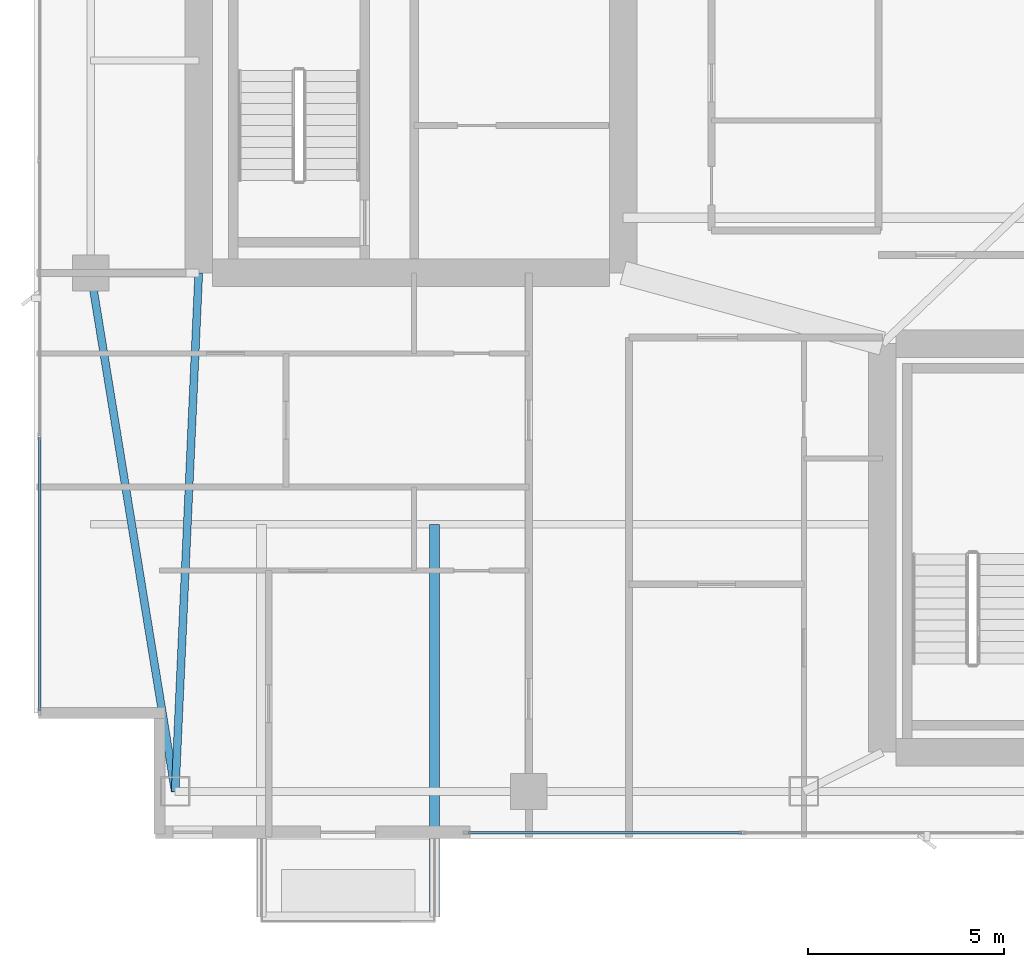
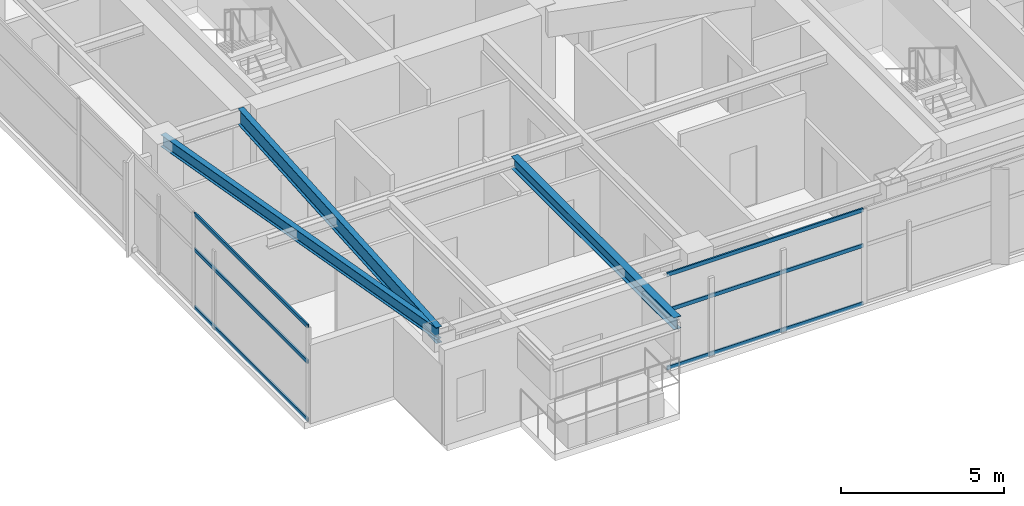
# One storey, part 3 of 27: 6 members, 3 beams, 2 elements without a shape of their own.
"""IFC4 building model written with IfcOpenShell, lengths in metres."""

from ifc_helpers import new_model, si_unit, direction, frame, origin, origin_2d, place, context, subcontext, project, spatial, hollow_rectangle, i_section, extrude, material, layer, layer_set, material_profile, profile_set, type_object, element, aggregate, save


model = new_model("IFC4")

# Units and contexts
model_context = context("Model", 3, precision=1e-05, world=origin(), true_north=direction((0.0, 1.0)))
body_context = subcontext(model_context, "Body", "Model", "MODEL_VIEW")
ifc_project = project(units=[si_unit("LENGTHUNIT", "METRE"), si_unit("AREAUNIT", "SQUARE_METRE"), si_unit("VOLUMEUNIT", "CUBIC_METRE"), si_unit("PLANEANGLEUNIT", "RADIAN"), si_unit("MASSUNIT", "GRAM", prefix="KILO")], contexts=[model_context])

# Site, building, storey
site_placement = place(None, origin())
site = spatial("IfcSite", under=ifc_project, at=site_placement, CompositionType="ELEMENT")
building_placement = place(site_placement, origin())
building = spatial("IfcBuilding", under=site, at=building_placement, Name="Calvorn Quay Hotel", CompositionType="ELEMENT")
storey_placement = place(building_placement, frame((0.0, 0.0, 223.10009765625)))
storey = spatial("IfcBuildingStorey", under=building, at=storey_placement, Name="L55", CompositionType="ELEMENT", Elevation=223.10009765625)

# Beams
ifc_material_1 = material(Name="Steel Q355B", Category="steel")
ifc_material_profile_1 = material_profile(ifc_material_1, i_section(OverallWidth=0.25, OverallDepth=0.449951171875, WebThickness=0.011962890625, FlangeThickness=0.01611328125, FilletRadius=0.01611328125, at=origin_2d()), Name="HN450x250x12x16")
ifc_profile_set_1 = profile_set([ifc_material_profile_1], Name="Steel Q355B")
beam_type_1 = type_object("IfcBeamType", Name="BM-CANT-BALC", PredefinedType="BEAM", material=ifc_profile_set_1)
beam_1_placement = place(storey_placement, frame((10.199951171875, 10.39990234375, 3.31494140625), z_axis=(0.0, -1.0, 0.0), x_axis=(1.0, 0.0, 0.0)))
element("IfcBeam", 1, at=beam_1_placement, inside=storey, type_object=beam_type_1, Name="Cantilever Balcony Beam BCB-L56-2B", PredefinedType="BEAM", context=body_context, shape_type="SweptSolid", body=[
    extrude(i_section(OverallWidth=0.25, OverallDepth=0.449951171875, WebThickness=0.011962890625, FlangeThickness=0.01611328125, FilletRadius=0.01611328125, at=origin_2d()), origin(), (0.0, 0.0, 1.0), 9.989990234375),
])
ifc_material_2 = material(Name="Steel Q355B", Category="steel")
ifc_material_profile_2 = material_profile(ifc_material_2, i_section(OverallWidth=0.199951171875, OverallDepth=0.60009765625, WebThickness=0.010986328125, FlangeThickness=0.01708984375, FilletRadius=0.01806640625, at=origin_2d()), Name="HN600x200x11x17")
ifc_profile_set_2 = profile_set([ifc_material_profile_2], Name="Steel Q355B")
beam_type_2 = type_object("IfcBeamType", Name="BM-GIRD-TYP", PredefinedType="BEAM", material=ifc_profile_set_2)
beam_2_placement = place(storey_placement, frame((3.60009765625, 3.60009765625, 3.239990234375), z_axis=(0.045396765494, 0.998969035397, 0.0), x_axis=(-0.998969035397, 0.045396765494, 0.0)))
element("IfcBeam", 2, at=beam_2_placement, inside=storey, type_object=beam_type_2, Name="Beam BG-L55-W0", PredefinedType="BEAM", context=body_context, shape_type="SweptSolid", body=[
    extrude(i_section(OverallWidth=0.199951171875, OverallDepth=0.60009765625, WebThickness=0.010986328125, FlangeThickness=0.01708984375, FilletRadius=0.01806640625, at=origin_2d()), origin(), (0.0, 0.0, 1.0), 13.213623046875),
])
ifc_material_3 = material(Name="Steel Q355B", Category="steel")
ifc_material_profile_3 = material_profile(ifc_material_3, i_section(OverallWidth=0.199951171875, OverallDepth=0.449951171875, WebThickness=0.009033203125, FlangeThickness=0.013916015625, FilletRadius=0.01611328125, at=origin_2d()), Name="HN450x200x9x14")
ifc_profile_set_3 = profile_set([ifc_material_profile_3], Name="Steel Q355B")
beam_type_3 = type_object("IfcBeamType", Name="BM-SPANDREL-Z3", PredefinedType="SPANDREL", material=ifc_profile_set_3)
beam_3_placement = place(storey_placement, frame((3.60009765625, 3.60009765625, 3.31494140625), z_axis=(-0.16077155054, 0.986991645627, 0.0), x_axis=(-0.986991645627, -0.16077155054, 0.0)))
element("IfcBeam", 3, at=beam_3_placement, inside=storey, type_object=beam_type_3, Name="Beam BSP-L55-W1", PredefinedType="SPANDREL", context=body_context, shape_type="SweptSolid", body=[
    extrude(i_section(OverallWidth=0.199951171875, OverallDepth=0.449951171875, WebThickness=0.009033203125, FlangeThickness=0.013916015625, FilletRadius=0.01611328125, at=origin_2d()), origin(), (0.0, 0.0, 1.0), 13.3740234375),
])

# Curtain wall, members
ifc_material_4 = material(Name="Champagne Bronze Anodised Aluminium and Low-E Glass", Category="aluminium")
ifc_layer = layer(ifc_material_4, 0.219970703125)
ifc_layer_set = layer_set([ifc_layer], Name="CW-SYS-Z3")
curtain_wall_type = type_object("IfcCurtainWallType", Name="CW-SYS-Z3", PredefinedType="NOTDEFINED", material=ifc_layer_set)
curtain_wall_1_placement = place(storey_placement, origin())
curtain_wall_1 = element("IfcCurtainWall", 4, at=curtain_wall_1_placement, inside=storey, type_object=curtain_wall_type, Name="Tower West Curtain Wall (L55)", PredefinedType="NOTDEFINED")
ifc_material_5 = material(Name="Champagne Bronze Anodised Aluminium 6063-T6", Category="aluminium")
ifc_material_profile_4 = material_profile(ifc_material_5, hollow_rectangle(XDim=0.05810546875, YDim=0.139892578125, WallThickness=0.003173828125, at=origin_2d()), Name="ALU-T140x58x3.2")
ifc_profile_set_4 = profile_set([ifc_material_profile_4], Name="Champagne Bronze Anodised Aluminium 6063-T6")
member_type = type_object("IfcMemberType", Name="CW-SYS-Z3-TRN", PredefinedType="USERDEFINED", material=ifc_profile_set_4)
member_1_placement = place(storey_placement, frame((0.14990234375, 5.659912109375, 0.02978515625), z_axis=(0.0, 1.0, 0.0), x_axis=(-1.0, 0.0, 0.0)))
member_1 = element("IfcMember", 5, at=member_1_placement, type_object=member_type, Name="CW-L55-W transom 1.1", ObjectType="TRANSOM", PredefinedType="USERDEFINED", context=body_context, shape_type="SweptSolid", body=[
    extrude(hollow_rectangle(XDim=0.05810546875, YDim=0.139892578125, WallThickness=0.003173828125, at=origin_2d()), origin(), (0.0, 0.0, 1.0), 6.943359375),
])
member_2_placement = place(storey_placement, frame((0.14990234375, 5.659912109375, 2.199951171875), z_axis=(0.0, 1.0, 0.0), x_axis=(-1.0, 0.0, 0.0)))
member_2 = element("IfcMember", 6, at=member_2_placement, type_object=member_type, Name="CW-L55-W transom 1.2", ObjectType="TRANSOM", PredefinedType="USERDEFINED", context=body_context, shape_type="SweptSolid", body=[
    extrude(hollow_rectangle(XDim=0.05810546875, YDim=0.139892578125, WallThickness=0.003173828125, at=origin_2d()), origin(), (0.0, 0.0, 1.0), 6.943359375),
])
member_3_placement = place(storey_placement, frame((0.14990234375, 5.659912109375, 3.52978515625), z_axis=(0.0, 1.0, 0.0), x_axis=(-1.0, 0.0, 0.0)))
member_3 = element("IfcMember", 7, at=member_3_placement, type_object=member_type, Name="CW-L55-W transom 1.3", ObjectType="TRANSOM", PredefinedType="USERDEFINED", context=body_context, shape_type="SweptSolid", body=[
    extrude(hollow_rectangle(XDim=0.05810546875, YDim=0.139892578125, WallThickness=0.003173828125, at=origin_2d()), origin(), (0.0, 0.0, 1.0), 6.943359375),
])
aggregate(curtain_wall_1, [member_1, member_2, member_3])

curtain_wall_2_placement = place(storey_placement, origin())
curtain_wall_2 = element("IfcCurtainWall", 8, at=curtain_wall_2_placement, inside=storey, type_object=curtain_wall_type, Name="Tower South Waterfront Curtain Wall (L55)", PredefinedType="NOTDEFINED")
member_4_placement = place(storey_placement, frame((11.06005859375, 2.550048828125, 0.02978515625), z_axis=(1.0, 0.0, 0.0), x_axis=(0.0, 1.0, 0.0)))
member_4 = element("IfcMember", 9, at=member_4_placement, type_object=member_type, Name="CW-L55-S transom 1.1", ObjectType="TRANSOM", PredefinedType="USERDEFINED", context=body_context, shape_type="SweptSolid", body=[
    extrude(hollow_rectangle(XDim=0.05810546875, YDim=0.139892578125, WallThickness=0.003173828125, at=origin_2d()), origin(), (0.0, 0.0, 1.0), 6.949951171875),
])
member_5_placement = place(storey_placement, frame((11.06005859375, 2.550048828125, 2.199951171875), z_axis=(1.0, 0.0, 0.0), x_axis=(0.0, 1.0, 0.0)))
member_5 = element("IfcMember", 10, at=member_5_placement, type_object=member_type, Name="CW-L55-S transom 1.2", ObjectType="TRANSOM", PredefinedType="USERDEFINED", context=body_context, shape_type="SweptSolid", body=[
    extrude(hollow_rectangle(XDim=0.05810546875, YDim=0.139892578125, WallThickness=0.003173828125, at=origin_2d()), origin(), (0.0, 0.0, 1.0), 6.949951171875),
])
member_6_placement = place(storey_placement, frame((11.06005859375, 2.550048828125, 3.52978515625), z_axis=(1.0, 0.0, 0.0), x_axis=(0.0, 1.0, 0.0)))
member_6 = element("IfcMember", 11, at=member_6_placement, type_object=member_type, Name="CW-L55-S transom 1.3", ObjectType="TRANSOM", PredefinedType="USERDEFINED", context=body_context, shape_type="SweptSolid", body=[
    extrude(hollow_rectangle(XDim=0.05810546875, YDim=0.139892578125, WallThickness=0.003173828125, at=origin_2d()), origin(), (0.0, 0.0, 1.0), 6.949951171875),
])
aggregate(curtain_wall_2, [member_4, member_5, member_6])

save(model, "model.ifc")
